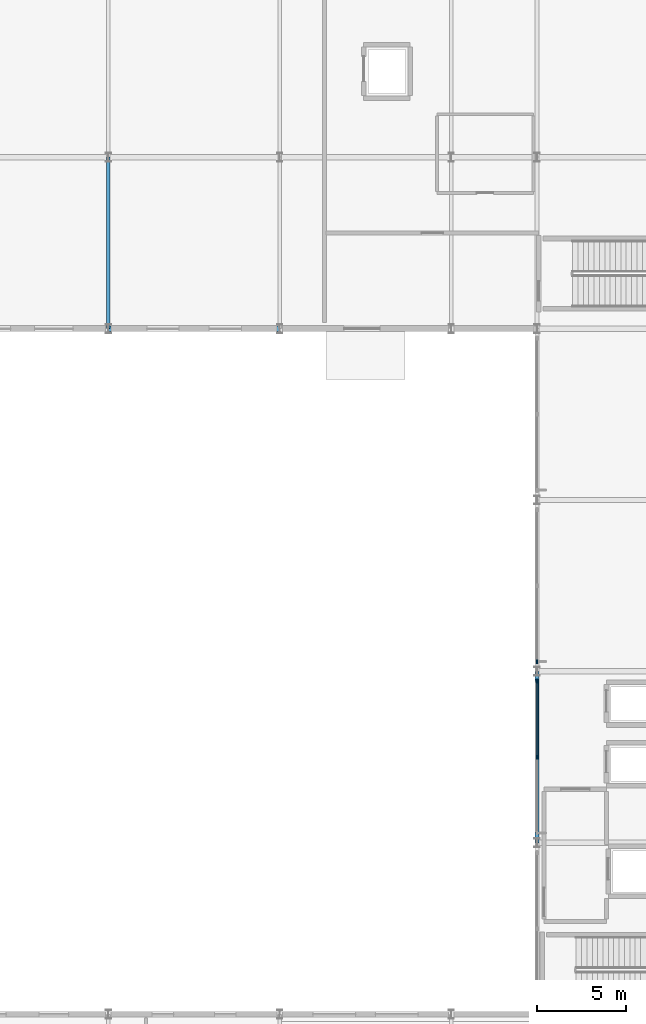
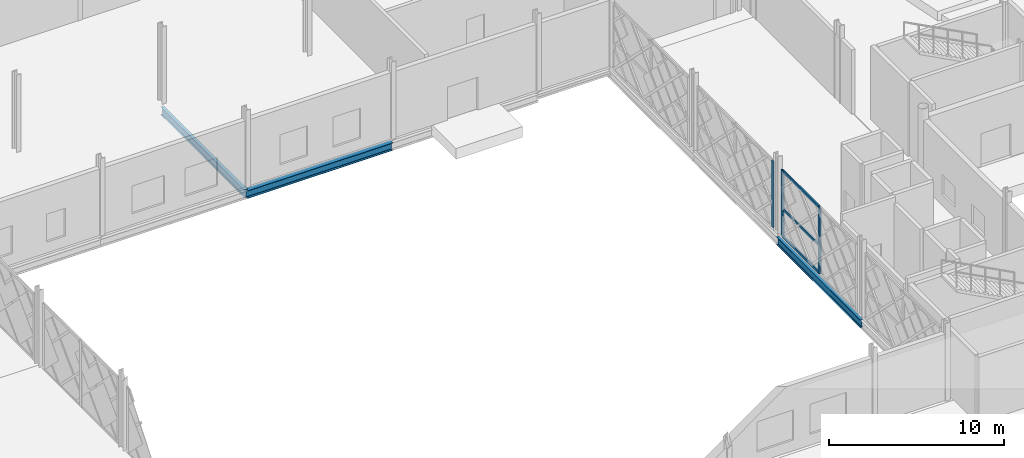
# One storey, part 39 of 84: 6 members, 3 beams, 2 elements without a shape of their own.
"""IFC4 building model written with IfcOpenShell, lengths in metres."""

from ifc_helpers import new_model, si_unit, direction, frame, origin, origin_2d, place, context, subcontext, project, spatial, rectangle, i_section, extrude, material, layer, layer_set, material_profile, profile_set, type_object, element, aggregate, save


model = new_model("IFC4")

# Units and contexts
model_context = context("Model", 3, precision=1e-05, world=origin(), true_north=direction((0.0, 1.0)))
body_context = subcontext(model_context, "Body", "Model", "MODEL_VIEW")
ifc_project = project(units=[si_unit("LENGTHUNIT", "METRE"), si_unit("AREAUNIT", "SQUARE_METRE"), si_unit("VOLUMEUNIT", "CUBIC_METRE"), si_unit("PLANEANGLEUNIT", "RADIAN"), si_unit("MASSUNIT", "GRAM", prefix="KILO")], contexts=[model_context])

# Site, building, storey
site_placement = place(None, origin())
site = spatial("IfcSite", under=ifc_project, at=site_placement, CompositionType="ELEMENT")
building_placement = place(site_placement, origin())
building = spatial("IfcBuilding", under=site, at=building_placement, Name="Zevrakil Square Congress Hotel", CompositionType="ELEMENT")
storey_placement = place(building_placement, origin())
storey = spatial("IfcBuildingStorey", under=building, at=storey_placement, Name="L01", CompositionType="ELEMENT", Elevation=0.0)

# Beams
ifc_material_1 = material(Name="Steel S355", Category="steel")
ifc_material_profile_1 = material_profile(ifc_material_1, i_section(OverallWidth=0.300048828125, OverallDepth=0.5400390625, WebThickness=0.012451171875, FlangeThickness=0.02392578125, FilletRadius=0.027099609375, at=origin_2d()), Name="HEA 550")
ifc_profile_set_1 = profile_set([ifc_material_profile_1], Name="Steel S355")
beam_type_1 = type_object("IfcBeamType", Name="BM-HEA550", PredefinedType="BEAM", material=ifc_profile_set_1)
beam_placement = place(storey_placement, frame((84.0, 84.0, -0.590087890625), z_axis=(1.0, 0.0, 0.0), x_axis=(0.0, 1.0, 0.0)))
element("IfcBeam", 1, at=beam_placement, inside=storey, type_object=beam_type_1, Name="L01 primary girder BX-0394", PredefinedType="BEAM", context=body_context, shape_type="SweptSolid", body=[
    extrude(i_section(OverallWidth=0.300048828125, OverallDepth=0.5400390625, WebThickness=0.012451171875, FlangeThickness=0.02392578125, FilletRadius=0.027099609375, at=origin_2d()), origin(), (0.0, 0.0, 1.0), 9.60009765625),
])
ifc_material_2 = material(Name="Steel S355", Category="steel")
ifc_material_profile_2 = material_profile(ifc_material_2, i_section(OverallWidth=0.2099609375, OverallDepth=0.550048828125, WebThickness=0.010986328125, FlangeThickness=0.01708984375, FilletRadius=0.02392578125, at=origin_2d()), Name="IPE 550")
ifc_profile_set_2 = profile_set([ifc_material_profile_2], Name="Steel S355")
beam_type_2 = type_object("IfcBeamType", Name="BM-IPE550", PredefinedType="BEAM", material=ifc_profile_set_2)
for number, where, z_axis, x_axis, name in (
    (2, (84.0, 84.0, -0.594970703125), (0.0, 1.0, 0.0), (-1.0, 0.0, 0.0), "L01 primary girder BY-0562"),
    (3, (108.0, 55.199951171875, -0.594970703125), (0.0, 1.0, 0.0), (-1.0, 0.0, 0.0), "L01 primary girder BY-0590"),
):
    element("IfcBeam", number, at=place(storey_placement, frame(where, z_axis=z_axis, x_axis=x_axis)), inside=storey, type_object=beam_type_2, Name=name, PredefinedType="BEAM", context=body_context, shape_type="SweptSolid", body=[
        extrude(i_section(OverallWidth=0.2099609375, OverallDepth=0.550048828125, WebThickness=0.010986328125, FlangeThickness=0.01708984375, FilletRadius=0.02392578125, at=origin_2d()), origin(), (0.0, 0.0, 1.0), 9.60009765625),
    ])

# Curtain wall, members
ifc_material_3 = material(Name="Aluminium Anodised Bronze", Category="aluminium")
ifc_layer = layer(ifc_material_3, 0.179931640625)
ifc_layer_set = layer_set([ifc_layer], Name="Aluminium Anodised Bronze")
curtain_wall_type = type_object("IfcCurtainWallType", Name="CW-L01-840", PredefinedType="USERDEFINED", material=ifc_layer_set)
curtain_wall_1_placement = place(storey_placement, origin())
curtain_wall_1 = element("IfcCurtainWall", 4, at=curtain_wall_1_placement, inside=storey, type_object=curtain_wall_type, Name="L01 diamond curtain wall CW-L01-0128", ObjectType="GLAZED CURTAIN WALL", PredefinedType="USERDEFINED")
ifc_material_4 = material(Name="Aluminium Anodised Bronze", Category="aluminium")
ifc_material_profile_3 = material_profile(ifc_material_4, rectangle(XDim=0.0849609375, YDim=0.179931640625, at=origin_2d()), Name="ALU 85x180")
ifc_profile_set_3 = profile_set([ifc_material_profile_3], Name="Aluminium Anodised Bronze")
member_type_1 = type_object("IfcMemberType", Name="CWM-ALU85x180", PredefinedType="USERDEFINED", material=ifc_profile_set_3)
member_1_placement = place(storey_placement, frame((108.0, 60.030029296875, 0.030029296875), z_axis=(0.0, 1.0, 0.0), x_axis=(-1.0, 0.0, 0.0)))
member_1 = element("IfcMember", 5, at=member_1_placement, type_object=member_type_1, Name="CW-11 transom 2.1", ObjectType="TRANSOM", PredefinedType="USERDEFINED", context=body_context, shape_type="SweptSolid", body=[
    extrude(rectangle(XDim=0.0849609375, YDim=0.179931640625, at=origin_2d()), origin(), (0.0, 0.0, 1.0), 4.18994140625),
])
member_2_placement = place(storey_placement, frame((108.0, 60.030029296875, 1.9423828125), z_axis=(0.0, 1.0, 0.0), x_axis=(-1.0, 0.0, 0.0)))
member_2 = element("IfcMember", 6, at=member_2_placement, type_object=member_type_1, Name="CW-11 transom 2.2", ObjectType="TRANSOM", PredefinedType="USERDEFINED", context=body_context, shape_type="SweptSolid", body=[
    extrude(rectangle(XDim=0.0849609375, YDim=0.179931640625, at=origin_2d()), origin(), (0.0, 0.0, 1.0), 4.18994140625),
])
member_3_placement = place(storey_placement, frame((108.0, 60.030029296875, 4.594970703125), z_axis=(0.0, 1.0, 0.0), x_axis=(-1.0, 0.0, 0.0)))
member_3 = element("IfcMember", 7, at=member_3_placement, type_object=member_type_1, Name="CW-11 transom 2.3", ObjectType="TRANSOM", PredefinedType="USERDEFINED", context=body_context, shape_type="SweptSolid", body=[
    extrude(rectangle(XDim=0.0849609375, YDim=0.179931640625, at=origin_2d()), origin(), (0.0, 0.0, 1.0), 4.18994140625),
])
ifc_material_5 = material(Name="Aluminium Anodised Bronze", Category="aluminium")
ifc_material_profile_4 = material_profile(ifc_material_5, rectangle(XDim=0.0849609375, YDim=0.219970703125, at=origin_2d()), Name="ALU 85x220")
ifc_profile_set_4 = profile_set([ifc_material_profile_4], Name="Aluminium Anodised Bronze")
member_type_2 = type_object("IfcMemberType", Name="CWM-ALU85x220", PredefinedType="MULLION", material=ifc_profile_set_4)
member_4_placement = place(storey_placement, frame((108.0, 60.0, 0.0), z_axis=(0.0, 0.0, 1.0), x_axis=(-1.0, 0.0, 0.0)))
member_4 = element("IfcMember", 8, at=member_4_placement, type_object=member_type_2, Name="CW-11 mullion 2", PredefinedType="MULLION", context=body_context, shape_type="SweptSolid", body=[
    extrude(rectangle(XDim=0.0849609375, YDim=0.219970703125, at=origin_2d()), origin(), (0.0, 0.0, 1.0), 4.625),
])
member_5_placement = place(storey_placement, frame((108.0, 64.25, 0.0), z_axis=(0.0, 0.0, 1.0), x_axis=(-1.0, 0.0, 0.0)))
member_5 = element("IfcMember", 9, at=member_5_placement, type_object=member_type_2, Name="CW-11 mullion 3", PredefinedType="MULLION", context=body_context, shape_type="SweptSolid", body=[
    extrude(rectangle(XDim=0.0849609375, YDim=0.219970703125, at=origin_2d()), origin(), (0.0, 0.0, 1.0), 4.625),
])
aggregate(curtain_wall_1, [member_4, member_5, member_1, member_2, member_3])

# Curtain wall, member
curtain_wall_2_placement = place(storey_placement, origin())
curtain_wall_2 = element("IfcCurtainWall", 10, at=curtain_wall_2_placement, inside=storey, type_object=curtain_wall_type, Name="L01 diamond curtain wall CW-L01-0134", ObjectType="GLAZED CURTAIN WALL", PredefinedType="USERDEFINED")
member_6_placement = place(storey_placement, frame((108.0, 65.35009765625, 0.0), z_axis=(0.0, 0.0, 1.0), x_axis=(-1.0, 0.0, 0.0)))
member_6 = element("IfcMember", 11, at=member_6_placement, type_object=member_type_2, Name="CW-11 mullion 1", PredefinedType="MULLION", context=body_context, shape_type="SweptSolid", body=[
    extrude(rectangle(XDim=0.0849609375, YDim=0.219970703125, at=origin_2d()), origin(), (0.0, 0.0, 1.0), 4.625),
])
aggregate(curtain_wall_2, [member_6])

save(model, "model.ifc")
